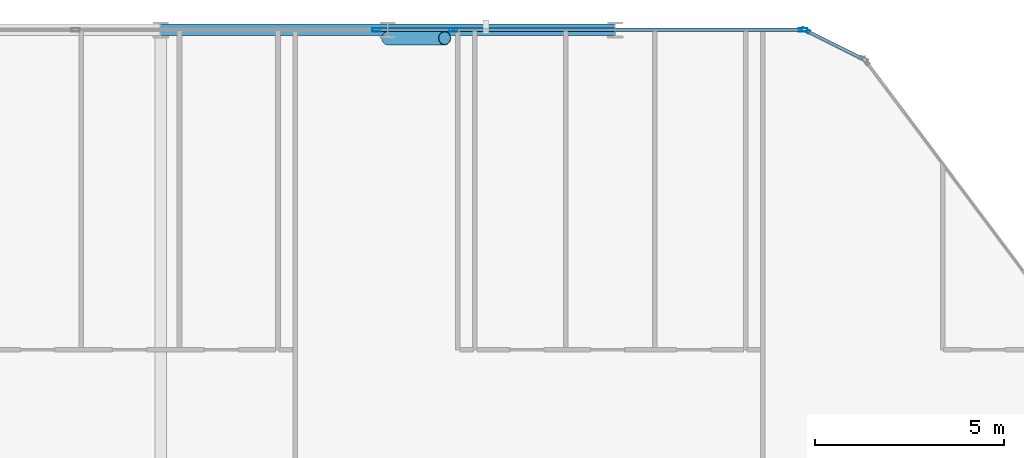
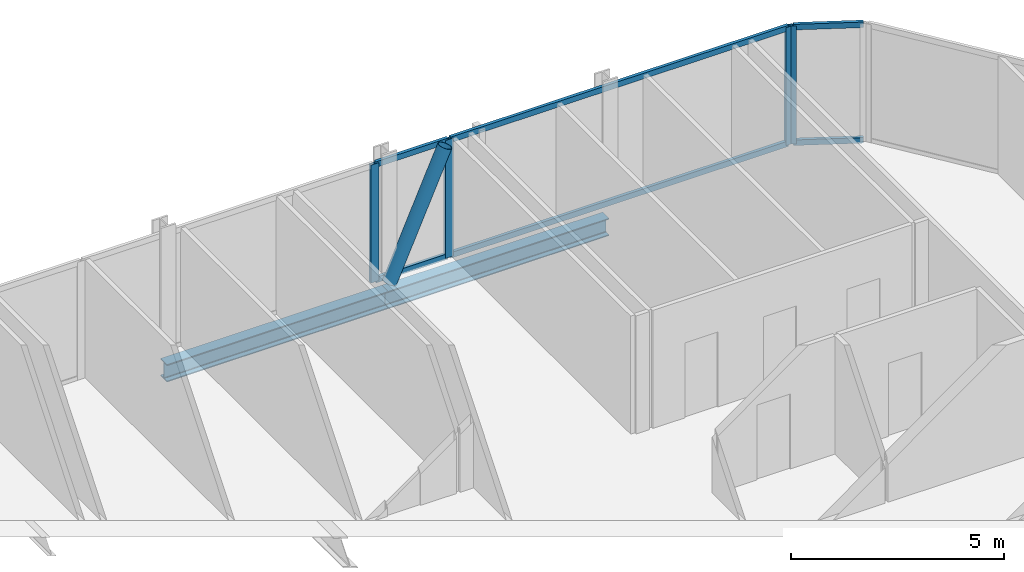
# One storey, part 16 of 34: 11 members, 2 beams, 4 elements without a shape of their own.
"""IFC4 building model written with IfcOpenShell, lengths in metres."""

from ifc_helpers import new_model, si_unit, direction, frame, origin, origin_2d, place, context, subcontext, project, spatial, hollow_rectangle, hollow_circle, i_section, extrude, material, layer, layer_set, material_profile, profile_set, type_object, element, aggregate, save


model = new_model("IFC4")

# Units and contexts
model_context = context("Model", 3, precision=1e-05, world=origin(), true_north=direction((0.0, 1.0)))
body_context = subcontext(model_context, "Body", "Model", "MODEL_VIEW")
ifc_project = project(units=[si_unit("LENGTHUNIT", "METRE"), si_unit("AREAUNIT", "SQUARE_METRE"), si_unit("VOLUMEUNIT", "CUBIC_METRE"), si_unit("PLANEANGLEUNIT", "RADIAN"), si_unit("MASSUNIT", "GRAM", prefix="KILO")], contexts=[model_context])

# Site, building, storey
site_placement = place(None, origin())
site = spatial("IfcSite", under=ifc_project, at=site_placement, CompositionType="ELEMENT")
building_placement = place(site_placement, origin())
building = spatial("IfcBuilding", under=site, at=building_placement, Name="Keshet Zoharim Tower", CompositionType="ELEMENT")
storey_placement = place(building_placement, frame((0.0, 0.0, 38.800048828125)))
storey = spatial("IfcBuildingStorey", under=building, at=storey_placement, Name="L08", CompositionType="ELEMENT", Elevation=38.800048828125)

# Beams
ifc_material_1 = material(Name="Steel S355", Category="steel")
ifc_material_profile_1 = material_profile(ifc_material_1, i_section(OverallWidth=0.300048828125, OverallDepth=0.5, WebThickness=0.014404296875, FlangeThickness=0.028076171875, FilletRadius=0.027099609375, at=origin_2d()), Name="HEB500")
ifc_profile_set_1 = profile_set([ifc_material_profile_1], Name="Steel S355")
beam_type = type_object("IfcBeamType", Name="BM-WEB-HB500", PredefinedType="BEAM", material=ifc_profile_set_1)
for number, where, z_axis, x_axis, name in (
    (1, (33.0, 53.89990234375, -0.56494140625), (1.0, 0.0, 0.0), (0.0, 1.0, 0.0), "L08 Primary Girder X-031"),
    (2, (39.0, 53.89990234375, -0.56494140625), (1.0, 0.0, 0.0), (0.0, 1.0, 0.0), "L08 Primary Girder X-032"),
):
    element("IfcBeam", number, at=place(storey_placement, frame(where, z_axis=z_axis, x_axis=x_axis)), inside=storey, type_object=beam_type, Name=name, PredefinedType="BEAM", context=body_context, shape_type="SweptSolid", body=[
        extrude(i_section(OverallWidth=0.300048828125, OverallDepth=0.5, WebThickness=0.014404296875, FlangeThickness=0.028076171875, FilletRadius=0.027099609375, at=origin_2d()), origin(), (0.0, 0.0, 1.0), 6.0),
    ])

# Curtain wall, member
ifc_material_2 = material(Name="Aluminium 6063-T6", Category="aluminium")
ifc_layer = layer(ifc_material_2, 0.169921875)
ifc_layer_set = layer_set([ifc_layer], Name="Aluminium 6063-T6")
curtain_wall_type = type_object("IfcCurtainWallType", Name="CW-SYS-02", PredefinedType="NOTDEFINED", material=ifc_layer_set)
curtain_wall_1_placement = place(storey_placement, origin())
curtain_wall_1 = element("IfcCurtainWall", 3, at=curtain_wall_1_placement, inside=storey, type_object=curtain_wall_type, Name="L08 Unitised Curtain Wall 07 Part 3", PredefinedType="NOTDEFINED")
ifc_material_profile_2 = material_profile(ifc_material_2, hollow_rectangle(XDim=0.090087890625, YDim=0.219970703125, WallThickness=0.0048828125, at=origin_2d()), Name="MUL-90x220")
ifc_profile_set_2 = profile_set([ifc_material_profile_2], Name="Aluminium 6063-T6")
member_type_1 = type_object("IfcMemberType", Name="CWM-M22", PredefinedType="MULLION", material=ifc_profile_set_2)
member_1_placement = place(storey_placement, frame((38.702392578125, 53.89990234375, 0.0), z_axis=(0.0, 0.0, 1.0), x_axis=(0.0, 1.0, 0.0)))
member_1 = element("IfcMember", 4, at=member_1_placement, type_object=member_type_1, Name="CW-02 mullion 3", PredefinedType="MULLION", context=body_context, shape_type="SweptSolid", body=[
    extrude(hollow_rectangle(XDim=0.090087890625, YDim=0.219970703125, WallThickness=0.0048828125, at=origin_2d()), origin(), (0.0, 0.0, 1.0), 3.385009765625),
])
aggregate(curtain_wall_1, [member_1])

curtain_wall_2_placement = place(storey_placement, origin())
curtain_wall_2 = element("IfcCurtainWall", 5, at=curtain_wall_2_placement, inside=storey, type_object=curtain_wall_type, Name="L08 Unitised Curtain Wall 07 Part 4", PredefinedType="NOTDEFINED")
member_2_placement = place(storey_placement, frame((40.7275390625, 53.89990234375, 0.0), z_axis=(0.0, 0.0, 1.0), x_axis=(0.0, 1.0, 0.0)))
member_2 = element("IfcMember", 6, at=member_2_placement, type_object=member_type_1, Name="CW-02 mullion 2", PredefinedType="MULLION", context=body_context, shape_type="SweptSolid", body=[
    extrude(hollow_rectangle(XDim=0.090087890625, YDim=0.219970703125, WallThickness=0.0048828125, at=origin_2d()), origin(), (0.0, 0.0, 1.0), 3.385009765625),
])

curtain_wall_3_placement = place(storey_placement, origin())
curtain_wall_3 = element("IfcCurtainWall", 7, at=curtain_wall_3_placement, inside=storey, type_object=curtain_wall_type, Name="L08 Unitised Curtain Wall 07 Part 5", PredefinedType="NOTDEFINED")
member_3_placement = place(storey_placement, frame((49.965087890625, 53.89990234375, 0.0), z_axis=(0.0, 0.0, 1.0), x_axis=(0.0, 1.0, 0.0)))
member_3 = element("IfcMember", 8, at=member_3_placement, type_object=member_type_1, Name="CW-02 mullion 2", PredefinedType="MULLION", context=body_context, shape_type="SweptSolid", body=[
    extrude(hollow_rectangle(XDim=0.090087890625, YDim=0.219970703125, WallThickness=0.0048828125, at=origin_2d()), origin(), (0.0, 0.0, 1.0), 3.385009765625),
])

curtain_wall_4_placement = place(storey_placement, origin())
curtain_wall_4 = element("IfcCurtainWall", 9, at=curtain_wall_4_placement, inside=storey, type_object=curtain_wall_type, Name="L08 Unitised Curtain Wall 08", PredefinedType="NOTDEFINED")
member_4_placement = place(storey_placement, frame((50.03125, 53.88427734375, 0.0), z_axis=(0.0, 0.0, 1.0), x_axis=(0.447213595499, 0.894427191001, 0.0)))
member_4 = element("IfcMember", 10, at=member_4_placement, type_object=member_type_1, Name="CW-02 mullion 1", PredefinedType="MULLION", context=body_context, shape_type="SweptSolid", body=[
    extrude(hollow_rectangle(XDim=0.090087890625, YDim=0.219970703125, WallThickness=0.0048828125, at=origin_2d()), origin(), (0.0, 0.0, 1.0), 3.385009765625),
])

# Member
ifc_material_profile_3 = material_profile(ifc_material_2, hollow_rectangle(XDim=0.0849609375, YDim=0.159912109375, WallThickness=0.00439453125, at=origin_2d()), Name="TRN-85x160")
ifc_profile_set_3 = profile_set([ifc_material_profile_3], Name="Aluminium 6063-T6")
member_type_2 = type_object("IfcMemberType", Name="CWT-T16", PredefinedType="USERDEFINED", material=ifc_profile_set_3)
member_5_placement = place(storey_placement, frame((38.7373046875, 53.89990234375, 0.034912109375), z_axis=(1.0, 0.0, 0.0), x_axis=(0.0, 1.0, 0.0)))
member_5 = element("IfcMember", 11, at=member_5_placement, type_object=member_type_2, Name="CW-02 transom 1.1", ObjectType="TRANSOM", PredefinedType="USERDEFINED", context=body_context, shape_type="SweptSolid", body=[
    extrude(hollow_rectangle(XDim=0.0849609375, YDim=0.159912109375, WallThickness=0.00439453125, at=origin_2d()), origin(), (0.0, 0.0, 1.0), 1.955322265625),
])

member_6_placement = place(storey_placement, frame((38.7373046875, 53.89990234375, 3.349853515625), z_axis=(1.0, 0.0, 0.0), x_axis=(0.0, 1.0, 0.0)))
member_6 = element("IfcMember", 12, at=member_6_placement, type_object=member_type_2, Name="CW-02 transom 1.2", ObjectType="TRANSOM", PredefinedType="USERDEFINED", context=body_context, shape_type="SweptSolid", body=[
    extrude(hollow_rectangle(XDim=0.0849609375, YDim=0.159912109375, WallThickness=0.00439453125, at=origin_2d()), origin(), (0.0, 0.0, 1.0), 1.955322265625),
])

aggregate(curtain_wall_2, [member_2, member_5, member_6])

member_7_placement = place(storey_placement, frame((40.7626953125, 53.89990234375, 0.034912109375), z_axis=(1.0, 0.0, 0.0), x_axis=(0.0, 1.0, 0.0)))
member_7 = element("IfcMember", 13, at=member_7_placement, type_object=member_type_2, Name="CW-02 transom 1.1", ObjectType="TRANSOM", PredefinedType="USERDEFINED", context=body_context, shape_type="SweptSolid", body=[
    extrude(hollow_rectangle(XDim=0.0849609375, YDim=0.159912109375, WallThickness=0.00439453125, at=origin_2d()), origin(), (0.0, 0.0, 1.0), 9.167236328125),
])

member_8_placement = place(storey_placement, frame((40.7626953125, 53.89990234375, 3.349853515625), z_axis=(1.0, 0.0, 0.0), x_axis=(0.0, 1.0, 0.0)))
member_8 = element("IfcMember", 14, at=member_8_placement, type_object=member_type_2, Name="CW-02 transom 1.2", ObjectType="TRANSOM", PredefinedType="USERDEFINED", context=body_context, shape_type="SweptSolid", body=[
    extrude(hollow_rectangle(XDim=0.0849609375, YDim=0.159912109375, WallThickness=0.00439453125, at=origin_2d()), origin(), (0.0, 0.0, 1.0), 9.167236328125),
])

aggregate(curtain_wall_3, [member_3, member_7, member_8])

member_9_placement = place(storey_placement, frame((50.0625, 53.86865234375, 0.034912109375), z_axis=(0.894456801911, -0.447154368775, 0.0), x_axis=(0.447154368775, 0.894456801911, 0.0)))
member_9 = element("IfcMember", 15, at=member_9_placement, type_object=member_type_2, Name="CW-02 transom 1.1", ObjectType="TRANSOM", PredefinedType="USERDEFINED", context=body_context, shape_type="SweptSolid", body=[
    extrude(hollow_rectangle(XDim=0.0849609375, YDim=0.159912109375, WallThickness=0.00439453125, at=origin_2d()), origin(), (0.0, 0.0, 1.0), 1.64892578125),
])

member_10_placement = place(storey_placement, frame((50.0625, 53.86865234375, 3.349853515625), z_axis=(0.894456801911, -0.447154368775, 0.0), x_axis=(0.447154368775, 0.894456801911, 0.0)))
member_10 = element("IfcMember", 16, at=member_10_placement, type_object=member_type_2, Name="CW-02 transom 1.2", ObjectType="TRANSOM", PredefinedType="USERDEFINED", context=body_context, shape_type="SweptSolid", body=[
    extrude(hollow_rectangle(XDim=0.0849609375, YDim=0.159912109375, WallThickness=0.00439453125, at=origin_2d()), origin(), (0.0, 0.0, 1.0), 1.64892578125),
])

aggregate(curtain_wall_4, [member_4, member_9, member_10])

ifc_material_profile_4 = material_profile(ifc_material_1, hollow_circle(Radius=0.177734375, WallThickness=0.012451171875, at=origin_2d()), Name="CHS355x12.5")
ifc_profile_set_4 = profile_set([ifc_material_profile_4], Name="Steel S355")
member_type_3 = type_object("IfcMemberType", Name="MB-BR-C355", PredefinedType="BRACE", material=ifc_profile_set_4)
member_11_placement = place(storey_placement, frame((39.0, 53.679931640625, 0.0), z_axis=(0.405134846829, 0.0, 0.91425694194), x_axis=(0.0, 1.0, 0.0)))
element("IfcMember", 17, at=member_11_placement, inside=storey, type_object=member_type_3, Name="L08 Perimeter Tube Brace 04", PredefinedType="BRACE", context=body_context, shape_type="SweptSolid", body=[
    extrude(hollow_circle(Radius=0.177734375, WallThickness=0.012451171875, at=origin_2d()), origin(), (0.0, 0.0, 1.0), 3.702392578125),
])

save(model, "model.ifc")
